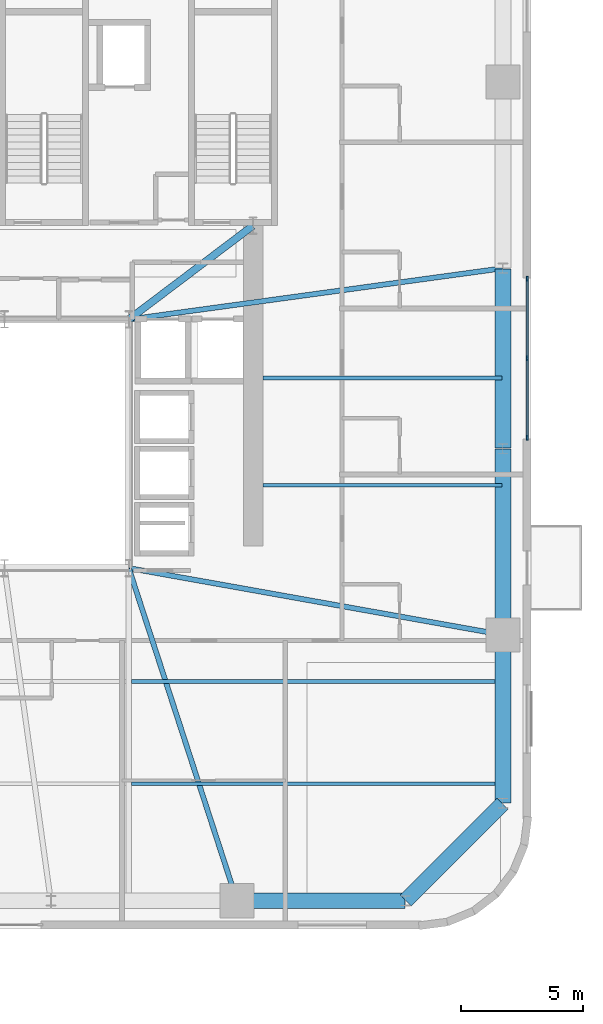
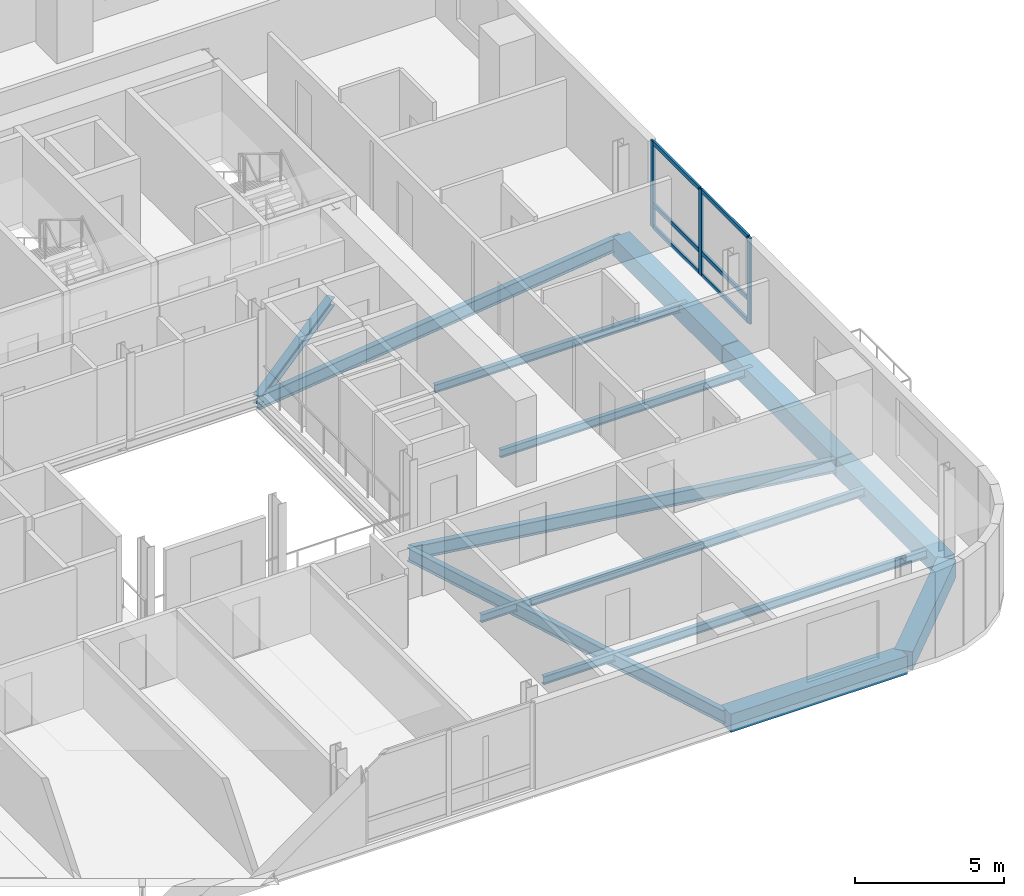
# One storey, part 4 of 13: 13 beams, 9 members, 1 element without a shape of its own.
"""IFC4 building model written with IfcOpenShell, lengths in metres."""

from ifc_helpers import new_model, si_unit, direction, frame, origin, origin_2d, place, context, subcontext, project, spatial, rectangle, i_section, extrude, source, transform, mapped, material, material_profile, profile_set, type_object, element, aggregate, save


model = new_model("IFC4")

# Units and contexts
model_context = context("Model", 3, precision=1e-05, world=origin(), true_north=direction((0.0, 1.0)))
body_context = subcontext(model_context, "Body", "Model", "MODEL_VIEW")
ifc_project = project(units=[si_unit("LENGTHUNIT", "METRE"), si_unit("AREAUNIT", "SQUARE_METRE"), si_unit("VOLUMEUNIT", "CUBIC_METRE"), si_unit("PLANEANGLEUNIT", "RADIAN"), si_unit("MASSUNIT", "GRAM", prefix="KILO")], contexts=[model_context])

# Site, building, storey
site_placement = place(None, origin())
site = spatial("IfcSite", under=ifc_project, at=site_placement, CompositionType="ELEMENT")
building_placement = place(site_placement, origin())
building = spatial("IfcBuilding", under=site, at=building_placement, Name="Vardaveli Station Tower", CompositionType="ELEMENT")
storey_placement = place(building_placement, frame((0.0, 0.0, 196.050048828125)))
storey = spatial("IfcBuildingStorey", under=building, at=storey_placement, Name="L50", CompositionType="ELEMENT", Elevation=196.050048828125)

# Beams
ifc_material_1 = material(Name="Structural steel S355J2", Category="steel")
ifc_material_profile_1 = material_profile(ifc_material_1, i_section(OverallWidth=0.300048828125, OverallDepth=0.360107421875, WebThickness=0.012451171875, FlangeThickness=0.0224609375, FilletRadius=0.027099609375, at=origin_2d()), Name="HEB 360")
ifc_profile_set_1 = profile_set([ifc_material_profile_1], Name="Structural steel S355J2")
beam_type_1 = type_object("IfcBeamType", Name="BM-HEB360", PredefinedType="BEAM", material=ifc_profile_set_1)
shared_shape_1 = source(origin(), body_context, "Body", "SweptSolid", [
    extrude(i_section(OverallWidth=0.300048828125, OverallDepth=0.360107421875, WebThickness=0.012451171875, FlangeThickness=0.0224609375, FilletRadius=0.027099609375, at=origin_2d()), origin(), (0.0, 0.0, 1.0), 6.35009765625),
])
beam_1_placement = place(storey_placement, frame((41.416015625, 26.81201171875, -0.400146484375), z_axis=(0.798118337722, 0.602500721154, 0.0), x_axis=(-0.602500721154, 0.798118337722, 0.0)))
element("IfcBeam", 1, at=beam_1_placement, inside=storey, type_object=beam_type_1, Name="CBM-L50-02", PredefinedType="BEAM", context=body_context, shape_type="MappedRepresentation", body=[
    mapped(shared_shape_1, transform((0.0, 0.0, 0.0), scale=1.0)),
])
ifc_material_2 = material(Name="Precast concrete C45/55", Category="concrete")
ifc_material_profile_2 = material_profile(ifc_material_2, rectangle(XDim=0.64990234375, YDim=0.75, at=origin_2d()), Name="LPB 650x750")
ifc_profile_set_2 = profile_set([ifc_material_profile_2], Name="Precast concrete C45/55")
beam_type_2 = type_object("IfcBeamType", Name="BM-LPB-750", PredefinedType="BEAM", material=ifc_profile_set_2)
shared_shape_2 = source(origin(), body_context, "Body", "SweptSolid", [
    extrude(rectangle(XDim=0.64990234375, YDim=0.75, at=origin_2d()), origin(), (0.0, 0.0, 1.0), 7.60009765625),
])
beam_2_placement = place(storey_placement, frame((56.75, 13.8798828125, -0.594970703125), z_axis=(0.0, 1.0, 0.0), x_axis=(-1.0, 0.0, 0.0)))
element("IfcBeam", 2, at=beam_2_placement, inside=storey, type_object=beam_type_2, Name="RBM-L50-07", PredefinedType="BEAM", context=body_context, shape_type="MappedRepresentation", body=[
    mapped(shared_shape_2, transform((0.0, 0.0, 0.0), scale=1.0)),
])
shared_shape_3 = source(origin(), body_context, "Body", "SweptSolid", [
    extrude(rectangle(XDim=0.64990234375, YDim=0.75, at=origin_2d()), origin(), (0.0, 0.0, 1.0), 7.35986328125),
])
beam_3_placement = place(storey_placement, frame((56.75, 21.52001953125, -0.594970703125), z_axis=(0.0, 1.0, 0.0), x_axis=(-1.0, 0.0, 0.0)))
element("IfcBeam", 3, at=beam_3_placement, inside=storey, type_object=beam_type_2, Name="RBM-L50-08", PredefinedType="BEAM", context=body_context, shape_type="MappedRepresentation", body=[
    mapped(shared_shape_3, transform((0.0, 0.0, 0.0), scale=1.0)),
])
shared_shape_4 = source(origin(), body_context, "Body", "SweptSolid", [
    extrude(rectangle(XDim=0.64990234375, YDim=0.75, at=origin_2d()), origin(), (0.0, 0.0, 1.0), 6.869873046875),
])
beam_4_placement = place(storey_placement, frame((45.860107421875, 2.949951171875, -0.594970703125), z_axis=(1.0, 0.0, 0.0), x_axis=(0.0, 1.0, 0.0)))
element("IfcBeam", 4, at=beam_4_placement, inside=storey, type_object=beam_type_2, Name="RBM-L50-04", PredefinedType="BEAM", context=body_context, shape_type="MappedRepresentation", body=[
    mapped(shared_shape_4, transform((0.0, 0.0, 0.0), scale=1.0)),
])
shared_shape_5 = source(origin(), body_context, "Body", "SweptSolid", [
    extrude(rectangle(XDim=0.64990234375, YDim=0.75, at=origin_2d()), origin(), (0.0, 0.0, 1.0), 5.61669921875),
])
beam_5_placement = place(storey_placement, frame((52.76416015625, 2.964111328125, -0.594970703125), z_axis=(0.707106781187, 0.707106781187, 0.0), x_axis=(-0.707106781187, 0.707106781187, 0.0)))
element("IfcBeam", 5, at=beam_5_placement, inside=storey, type_object=beam_type_2, Name="RBM-L50-05", PredefinedType="BEAM", context=body_context, shape_type="MappedRepresentation", body=[
    mapped(shared_shape_5, transform((0.0, 0.0, 0.0), scale=1.0)),
])
shared_shape_6 = source(origin(), body_context, "Body", "SweptSolid", [
    extrude(rectangle(XDim=0.64990234375, YDim=0.75, at=origin_2d()), origin(), (0.0, 0.0, 1.0), 6.8701171875),
])
beam_6_placement = place(storey_placement, frame((56.75, 6.969970703125, -0.594970703125), z_axis=(0.0, 1.0, 0.0), x_axis=(-1.0, 0.0, 0.0)))
element("IfcBeam", 6, at=beam_6_placement, inside=storey, type_object=beam_type_2, Name="RBM-L50-06", PredefinedType="BEAM", context=body_context, shape_type="MappedRepresentation", body=[
    mapped(shared_shape_6, transform((0.0, 0.0, 0.0), scale=1.0)),
])
ifc_material_profile_3 = material_profile(ifc_material_1, i_section(OverallWidth=0.159912109375, OverallDepth=0.330078125, WebThickness=0.007568359375, FlangeThickness=0.011474609375, FilletRadius=0.01806640625, at=origin_2d()), Name="IPE 330")
ifc_profile_set_3 = profile_set([ifc_material_profile_3], Name="Structural steel S355J2")
beam_type_3 = type_object("IfcBeamType", Name="BM-IPE330", PredefinedType="JOIST", material=ifc_profile_set_3)
shared_shape_7 = source(origin(), body_context, "Body", "SweptSolid", [
    extrude(i_section(OverallWidth=0.159912109375, OverallDepth=0.330078125, WebThickness=0.007568359375, FlangeThickness=0.011474609375, FilletRadius=0.01806640625, at=origin_2d()), origin(), (0.0, 0.0, 1.0), 15.197998046875),
])
for number, where, z_axis, x_axis, name in (
    (7, (41.511962890625, 7.75, -0.385009765625), (1.0, 0.0, 0.0), (0.0, 1.0, 0.0), "SJ-L50-S02"),
    (8, (41.511962890625, 11.949951171875, -0.385009765625), (1.0, 0.0, 0.0), (0.0, 1.0, 0.0), "SJ-L50-S04"),
):
    element("IfcBeam", number, at=place(storey_placement, frame(where, z_axis=z_axis, x_axis=x_axis)), inside=storey, type_object=beam_type_3, Name=name, PredefinedType="JOIST", context=body_context, shape_type="MappedRepresentation", body=[
        mapped(shared_shape_7, transform((0.0, 0.0, 0.0), scale=1.0)),
    ])
shared_shape_8 = source(origin(), body_context, "Body", "SweptSolid", [
    extrude(i_section(OverallWidth=0.159912109375, OverallDepth=0.330078125, WebThickness=0.007568359375, FlangeThickness=0.011474609375, FilletRadius=0.01806640625, at=origin_2d()), origin(), (0.0, 0.0, 1.0), 9.804931640625),
])
for number, where, z_axis, x_axis, name in (
    (9, (46.905029296875, 20.0, -0.385009765625), (1.0, 0.0, 0.0), (0.0, 1.0, 0.0), "SJ-L50-E07"),
    (10, (46.905029296875, 24.39990234375, -0.385009765625), (1.0, 0.0, 0.0), (0.0, 1.0, 0.0), "SJ-L50-E08"),
):
    element("IfcBeam", number, at=place(storey_placement, frame(where, z_axis=z_axis, x_axis=x_axis)), inside=storey, type_object=beam_type_3, Name=name, PredefinedType="JOIST", context=body_context, shape_type="MappedRepresentation", body=[
        mapped(shared_shape_8, transform((0.0, 0.0, 0.0), scale=1.0)),
    ])
ifc_material_profile_4 = material_profile(ifc_material_1, i_section(OverallWidth=0.2099609375, OverallDepth=0.550048828125, WebThickness=0.010986328125, FlangeThickness=0.01708984375, FilletRadius=0.02392578125, at=origin_2d()), Name="IPE 550")
ifc_profile_set_4 = profile_set([ifc_material_profile_4], Name="Structural steel S355J2")
beam_type_4 = type_object("IfcBeamType", Name="BM-IPE550", PredefinedType="BEAM", material=ifc_profile_set_4)
shared_shape_9 = source(origin(), body_context, "Body", "SweptSolid", [
    extrude(i_section(OverallWidth=0.2099609375, OverallDepth=0.550048828125, WebThickness=0.010986328125, FlangeThickness=0.01708984375, FilletRadius=0.02392578125, at=origin_2d()), origin(), (0.0, 0.0, 1.0), 14.31396484375),
])
beam_7_placement = place(storey_placement, frame((45.833740234375, 2.968994140625, -0.4951171875), z_axis=(-0.309311678023, 0.950960717295, 0.0), x_axis=(-0.950960717295, -0.309311678023, 0.0)))
element("IfcBeam", 11, at=beam_7_placement, inside=storey, type_object=beam_type_4, Name="GBM-L50-04", PredefinedType="BEAM", context=body_context, shape_type="MappedRepresentation", body=[
    mapped(shared_shape_9, transform((0.0, 0.0, 0.0), scale=1.0)),
])
shared_shape_10 = source(origin(), body_context, "Body", "SweptSolid", [
    extrude(i_section(OverallWidth=0.2099609375, OverallDepth=0.550048828125, WebThickness=0.010986328125, FlangeThickness=0.01708984375, FilletRadius=0.02392578125, at=origin_2d()), origin(), (0.0, 0.0, 1.0), 15.552490234375),
])
beam_8_placement = place(storey_placement, frame((56.730224609375, 13.863525390625, -0.4951171875), z_axis=(-0.984439991578, 0.1757210943, 0.0), x_axis=(-0.1757210943, -0.984439991578, 0.0)))
element("IfcBeam", 12, at=beam_8_placement, inside=storey, type_object=beam_type_4, Name="GBM-L50-05", PredefinedType="BEAM", context=body_context, shape_type="MappedRepresentation", body=[
    mapped(shared_shape_10, transform((0.0, 0.0, 0.0), scale=1.0)),
])
shared_shape_11 = source(origin(), body_context, "Body", "SweptSolid", [
    extrude(i_section(OverallWidth=0.2099609375, OverallDepth=0.550048828125, WebThickness=0.010986328125, FlangeThickness=0.01708984375, FilletRadius=0.02392578125, at=origin_2d()), origin(), (0.0, 0.0, 1.0), 15.452880859375),
])
beam_9_placement = place(storey_placement, frame((56.730224609375, 28.897216796875, -0.4951171875), z_axis=(-0.99077191151, -0.135539733521, 0.0), x_axis=(0.135539733521, -0.99077191151, 0.0)))
element("IfcBeam", 13, at=beam_9_placement, inside=storey, type_object=beam_type_4, Name="GBM-L50-07", PredefinedType="BEAM", context=body_context, shape_type="MappedRepresentation", body=[
    mapped(shared_shape_11, transform((0.0, 0.0, 0.0), scale=1.0)),
])

# Curtain wall, members
ifc_material_3 = material(Name="Travertine stone and solar-control glass", Category="masonry")
curtain_wall_type = type_object("IfcCurtainWallType", Name="CW-SYS-5", PredefinedType="NOTDEFINED", material=ifc_material_3)
curtain_wall_placement = place(storey_placement, origin())
curtain_wall = element("IfcCurtainWall", 14, at=curtain_wall_placement, inside=storey, type_object=curtain_wall_type, Name="CW-L50-E", PredefinedType="NOTDEFINED")
ifc_material_4 = material(Name="Anodised aluminium alloy 6063-T6", Category="aluminium")
ifc_material_profile_5 = material_profile(ifc_material_4, rectangle(XDim=0.080078125, YDim=0.1650390625, at=origin_2d()), Name="CWT 80x165")
ifc_profile_set_5 = profile_set([ifc_material_profile_5], Name="Anodised aluminium alloy 6063-T6")
member_type_1 = type_object("IfcMemberType", Name="CW-SYS-5-TRAN", PredefinedType="NOTDEFINED", material=ifc_profile_set_5)
shared_shape_12 = source(origin(), body_context, "Body", "SweptSolid", [
    extrude(rectangle(XDim=0.080078125, YDim=0.1650390625, at=origin_2d()), origin(), (0.0, 0.0, 1.0), 3.179931640625),
])
member_1_placement = place(storey_placement, frame((57.739990234375, 21.97998046875, 0.0400390625), z_axis=(0.0, 1.0, 0.0), x_axis=(-1.0, 0.0, 0.0)))
member_1 = element("IfcMember", 15, at=member_1_placement, type_object=member_type_1, Name="CW-5 transom 1.1", ObjectType="TRANSOM", PredefinedType="USERDEFINED", context=body_context, shape_type="MappedRepresentation", body=[
    mapped(shared_shape_12, transform((0.0, 0.0, 0.0), scale=1.0)),
])
member_2_placement = place(storey_placement, frame((57.739990234375, 21.97998046875, 0.949951171875), z_axis=(0.0, 1.0, 0.0), x_axis=(-1.0, 0.0, 0.0)))
member_2 = element("IfcMember", 16, at=member_2_placement, type_object=member_type_1, Name="CW-5 transom 1.2", ObjectType="TRANSOM", PredefinedType="USERDEFINED", context=body_context, shape_type="MappedRepresentation", body=[
    mapped(shared_shape_12, transform((0.0, 0.0, 0.0), scale=1.0)),
])
member_3_placement = place(storey_placement, frame((57.739990234375, 21.97998046875, 3.489990234375), z_axis=(0.0, 1.0, 0.0), x_axis=(-1.0, 0.0, 0.0)))
member_3 = element("IfcMember", 17, at=member_3_placement, type_object=member_type_1, Name="CW-5 transom 1.3", ObjectType="TRANSOM", PredefinedType="USERDEFINED", context=body_context, shape_type="MappedRepresentation", body=[
    mapped(shared_shape_12, transform((0.0, 0.0, 0.0), scale=1.0)),
])
member_4_placement = place(storey_placement, frame((57.739990234375, 25.239990234375, 0.0400390625), z_axis=(0.0, 1.0, 0.0), x_axis=(-1.0, 0.0, 0.0)))
member_4 = element("IfcMember", 18, at=member_4_placement, type_object=member_type_1, Name="CW-5 transom 2.1", ObjectType="TRANSOM", PredefinedType="USERDEFINED", context=body_context, shape_type="MappedRepresentation", body=[
    mapped(shared_shape_12, transform((0.0, 0.0, 0.0), scale=1.0)),
])
member_5_placement = place(storey_placement, frame((57.739990234375, 25.239990234375, 0.949951171875), z_axis=(0.0, 1.0, 0.0), x_axis=(-1.0, 0.0, 0.0)))
member_5 = element("IfcMember", 19, at=member_5_placement, type_object=member_type_1, Name="CW-5 transom 2.2", ObjectType="TRANSOM", PredefinedType="USERDEFINED", context=body_context, shape_type="MappedRepresentation", body=[
    mapped(shared_shape_12, transform((0.0, 0.0, 0.0), scale=1.0)),
])
member_6_placement = place(storey_placement, frame((57.739990234375, 25.239990234375, 3.489990234375), z_axis=(0.0, 1.0, 0.0), x_axis=(-1.0, 0.0, 0.0)))
member_6 = element("IfcMember", 20, at=member_6_placement, type_object=member_type_1, Name="CW-5 transom 2.3", ObjectType="TRANSOM", PredefinedType="USERDEFINED", context=body_context, shape_type="MappedRepresentation", body=[
    mapped(shared_shape_12, transform((0.0, 0.0, 0.0), scale=1.0)),
])
ifc_material_profile_6 = material_profile(ifc_material_4, rectangle(XDim=0.080078125, YDim=0.205078125, at=origin_2d()), Name="CWM 80x205")
ifc_profile_set_6 = profile_set([ifc_material_profile_6], Name="Anodised aluminium alloy 6063-T6")
member_type_2 = type_object("IfcMemberType", Name="CW-SYS-5-MULL", PredefinedType="MULLION", material=ifc_profile_set_6)
shared_shape_13 = source(origin(), body_context, "Body", "SweptSolid", [
    extrude(rectangle(XDim=0.080078125, YDim=0.205078125, at=origin_2d()), origin(), (0.0, 0.0, 1.0), 3.530029296875),
])
member_7_placement = place(storey_placement, frame((57.739990234375, 21.93994140625, 0.0), z_axis=(0.0, 0.0, 1.0), x_axis=(-1.0, 0.0, 0.0)))
member_7 = element("IfcMember", 21, at=member_7_placement, type_object=member_type_2, Name="CW-5 mullion 1", PredefinedType="MULLION", context=body_context, shape_type="MappedRepresentation", body=[
    mapped(shared_shape_13, transform((0.0, 0.0, 0.0), scale=1.0)),
])
member_8_placement = place(storey_placement, frame((57.739990234375, 25.199951171875, 0.0), z_axis=(0.0, 0.0, 1.0), x_axis=(-1.0, 0.0, 0.0)))
member_8 = element("IfcMember", 22, at=member_8_placement, type_object=member_type_2, Name="CW-5 mullion 2", PredefinedType="MULLION", context=body_context, shape_type="MappedRepresentation", body=[
    mapped(shared_shape_13, transform((0.0, 0.0, 0.0), scale=1.0)),
])
member_9_placement = place(storey_placement, frame((57.739990234375, 28.4599609375, 0.0), z_axis=(0.0, 0.0, 1.0), x_axis=(-1.0, 0.0, 0.0)))
member_9 = element("IfcMember", 23, at=member_9_placement, type_object=member_type_2, Name="CW-5 mullion 3", PredefinedType="MULLION", context=body_context, shape_type="MappedRepresentation", body=[
    mapped(shared_shape_13, transform((0.0, 0.0, 0.0), scale=1.0)),
])
aggregate(curtain_wall, [member_7, member_8, member_9, member_1, member_2, member_3, member_4, member_5, member_6])

save(model, "model.ifc")
